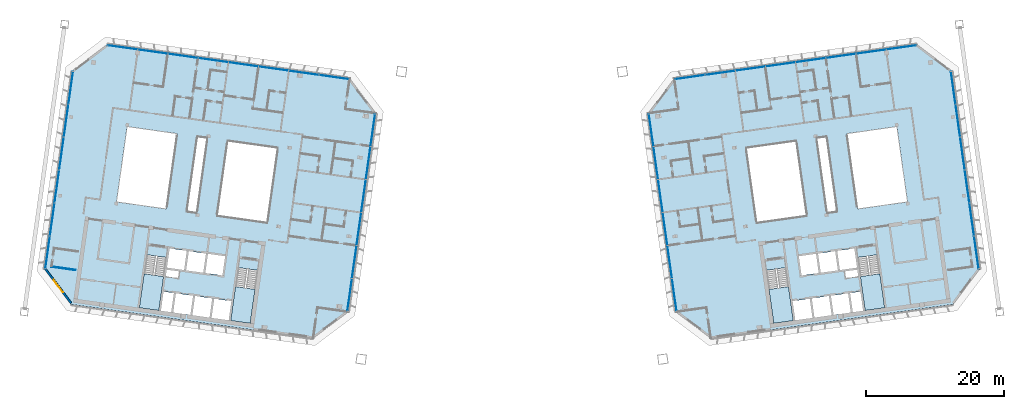
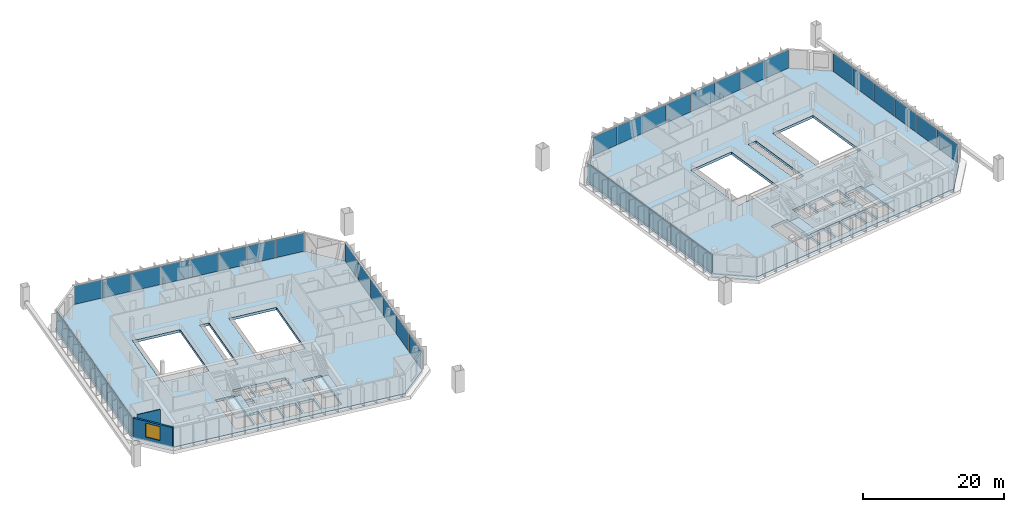
# One storey, part 15 of 26: 40 plates, 6 slabs, 2 walls, 1 window, 1 opening, 10 elements without a shape of their own.
"""IFC4 building model written with IfcOpenShell, lengths in metres."""

from ifc_helpers import new_model, si_unit, direction, frame, frame_2d, origin, origin_2d, place, context, subcontext, project, spatial, polyline, rectangle, outline, extrude, material, layer, layer_set, type_object, element, fill, aggregate, save


model = new_model("IFC4")

# Units and contexts
model_context = context("Model", 3, precision=1e-05, world=origin(), true_north=direction((0.0, 1.0)))
body_context = subcontext(model_context, "Body", "Model", "MODEL_VIEW")
ifc_project = project(units=[si_unit("LENGTHUNIT", "METRE"), si_unit("AREAUNIT", "SQUARE_METRE"), si_unit("VOLUMEUNIT", "CUBIC_METRE"), si_unit("PLANEANGLEUNIT", "RADIAN"), si_unit("MASSUNIT", "GRAM", prefix="KILO")], contexts=[model_context])

# Site, building, storey
site_placement = place(None, origin())
site = spatial("IfcSite", under=ifc_project, at=site_placement, CompositionType="ELEMENT")
building_placement = place(site_placement, origin())
building = spatial("IfcBuilding", under=site, at=building_placement, Name="Mirante Cascada Hotel Towers", CompositionType="ELEMENT")
storey_placement = place(building_placement, frame((0.0, 0.0, 235.6)))
storey = spatial("IfcBuildingStorey", under=building, at=storey_placement, Name="L56", CompositionType="ELEMENT", Elevation=235.6)

# Curtain wall, plates
ifc_material_1 = material(Name="Aluminium mullion and transom frame with clear laminated glass", Category="aluminium")
curtain_wall_type_1 = type_object("IfcCurtainWallType", Name="Ribbon curtain wall ECW1", PredefinedType="NOTDEFINED", material=ifc_material_1)
curtain_wall_1_placement = place(storey_placement, origin())
curtain_wall_1 = element("IfcCurtainWall", 1, at=curtain_wall_1_placement, inside=storey, type_object=curtain_wall_type_1, Name="Front ribbon wall T1 L56", PredefinedType="NOTDEFINED")
ifc_material_2 = material(Name="Clear laminated glass", Category="glass")
ifc_layer_1 = layer(ifc_material_2, 0.036)
ifc_layer_set_1 = layer_set([ifc_layer_1], Name="ECW1 glass panel 36")
plate_type_1 = type_object("IfcPlateType", Name="ECW1 glass panel 36", PredefinedType="CURTAIN_PANEL", material=ifc_layer_set_1)
plate_1_placement = place(storey_placement, frame((-56.308, 20.7326, 0.1), z_axis=(0.0, 0.0, 1.0), x_axis=(0.9902681, -0.1391731, 0.0)))
plate_1 = element("IfcPlate", 2, at=plate_1_placement, type_object=plate_type_1, Name="ECW1 panel 1", PredefinedType="CURTAIN_PANEL", context=body_context, shape_type="SweptSolid", body=[
    extrude(rectangle(XDim=4.3143, YDim=0.036, at=origin_2d()), origin(), (0.0, 0.0, 1.0), 3.15),
])
plate_2_placement = place(storey_placement, frame((-51.9552, 20.1209, 0.1), z_axis=(0.0, 0.0, 1.0), x_axis=(0.9902681, -0.1391731, 0.0)))
plate_2 = element("IfcPlate", 3, at=plate_2_placement, type_object=plate_type_1, Name="ECW1 panel 2", PredefinedType="CURTAIN_PANEL", context=body_context, shape_type="SweptSolid", body=[
    extrude(rectangle(XDim=4.3468, YDim=0.036, at=origin_2d()), origin(), (0.0, 0.0, 1.0), 3.15),
])
plate_3_placement = place(storey_placement, frame((-47.5864, 19.5069, 0.1), z_axis=(0.0, 0.0, 1.0), x_axis=(0.9902681, -0.1391731, 0.0)))
plate_3 = element("IfcPlate", 4, at=plate_3_placement, type_object=plate_type_1, Name="ECW1 panel 3", PredefinedType="CURTAIN_PANEL", context=body_context, shape_type="SweptSolid", body=[
    extrude(rectangle(XDim=4.3468, YDim=0.036, at=origin_2d()), origin(), (0.0, 0.0, 1.0), 3.15),
])
plate_4_placement = place(storey_placement, frame((-43.2175, 18.8929, 0.1), z_axis=(0.0, 0.0, 1.0), x_axis=(0.9902681, -0.1391731, 0.0)))
plate_4 = element("IfcPlate", 5, at=plate_4_placement, type_object=plate_type_1, Name="ECW1 panel 4", PredefinedType="CURTAIN_PANEL", context=body_context, shape_type="SweptSolid", body=[
    extrude(rectangle(XDim=4.3468, YDim=0.036, at=origin_2d()), origin(), (0.0, 0.0, 1.0), 3.15),
])
plate_5_placement = place(storey_placement, frame((-38.8487, 18.2789, 0.1), z_axis=(0.0, 0.0, 1.0), x_axis=(0.9902681, -0.1391731, 0.0)))
plate_5 = element("IfcPlate", 6, at=plate_5_placement, type_object=plate_type_1, Name="ECW1 panel 5", PredefinedType="CURTAIN_PANEL", context=body_context, shape_type="SweptSolid", body=[
    extrude(rectangle(XDim=4.3468, YDim=0.036, at=origin_2d()), origin(), (0.0, 0.0, 1.0), 3.15),
])
plate_6_placement = place(storey_placement, frame((-34.4798, 17.6648, 0.1), z_axis=(0.0, 0.0, 1.0), x_axis=(0.9902681, -0.1391731, 0.0)))
plate_6 = element("IfcPlate", 7, at=plate_6_placement, type_object=plate_type_1, Name="ECW1 panel 6", PredefinedType="CURTAIN_PANEL", context=body_context, shape_type="SweptSolid", body=[
    extrude(rectangle(XDim=4.3468, YDim=0.036, at=origin_2d()), origin(), (0.0, 0.0, 1.0), 3.15),
])
plate_7_placement = place(storey_placement, frame((-30.111, 17.0508, 0.1), z_axis=(0.0, 0.0, 1.0), x_axis=(0.9902681, -0.1391731, 0.0)))
plate_7 = element("IfcPlate", 8, at=plate_7_placement, type_object=plate_type_1, Name="ECW1 panel 7", PredefinedType="CURTAIN_PANEL", context=body_context, shape_type="SweptSolid", body=[
    extrude(rectangle(XDim=4.3468, YDim=0.036, at=origin_2d()), origin(), (0.0, 0.0, 1.0), 3.15),
])
plate_8_placement = place(storey_placement, frame((-25.7582, 16.4391, 0.1), z_axis=(0.0, 0.0, 1.0), x_axis=(0.9902681, -0.1391731, 0.0)))
plate_8 = element("IfcPlate", 9, at=plate_8_placement, type_object=plate_type_1, Name="ECW1 panel 8", PredefinedType="CURTAIN_PANEL", context=body_context, shape_type="SweptSolid", body=[
    extrude(rectangle(XDim=4.3143, YDim=0.036, at=origin_2d()), origin(), (0.0, 0.0, 1.0), 3.15),
])
aggregate(curtain_wall_1, [plate_1, plate_2, plate_3, plate_4, plate_5, plate_6, plate_7, plate_8])

curtain_wall_2_placement = place(storey_placement, origin())
curtain_wall_2 = element("IfcCurtainWall", 10, at=curtain_wall_2_placement, inside=storey, type_object=curtain_wall_type_1, Name="Front ribbon wall T2 L56", PredefinedType="NOTDEFINED")
plate_9_placement = place(storey_placement, frame((56.308, 20.7326, 0.1), z_axis=(0.0, 0.0, 1.0), x_axis=(-0.9902681, -0.1391731, 0.0)))
plate_9 = element("IfcPlate", 11, at=plate_9_placement, type_object=plate_type_1, Name="ECW1 panel 1", PredefinedType="CURTAIN_PANEL", context=body_context, shape_type="SweptSolid", body=[
    extrude(rectangle(XDim=4.3143, YDim=0.036, at=origin_2d()), origin(), (0.0, 0.0, 1.0), 3.15),
])
plate_10_placement = place(storey_placement, frame((51.9552, 20.1209, 0.1), z_axis=(0.0, 0.0, 1.0), x_axis=(-0.9902681, -0.1391731, 0.0)))
plate_10 = element("IfcPlate", 12, at=plate_10_placement, type_object=plate_type_1, Name="ECW1 panel 2", PredefinedType="CURTAIN_PANEL", context=body_context, shape_type="SweptSolid", body=[
    extrude(rectangle(XDim=4.3468, YDim=0.036, at=origin_2d()), origin(), (0.0, 0.0, 1.0), 3.15),
])
plate_11_placement = place(storey_placement, frame((47.5864, 19.5069, 0.1), z_axis=(0.0, 0.0, 1.0), x_axis=(-0.9902681, -0.1391731, 0.0)))
plate_11 = element("IfcPlate", 13, at=plate_11_placement, type_object=plate_type_1, Name="ECW1 panel 3", PredefinedType="CURTAIN_PANEL", context=body_context, shape_type="SweptSolid", body=[
    extrude(rectangle(XDim=4.3468, YDim=0.036, at=origin_2d()), origin(), (0.0, 0.0, 1.0), 3.15),
])
plate_12_placement = place(storey_placement, frame((43.2175, 18.8929, 0.1), z_axis=(0.0, 0.0, 1.0), x_axis=(-0.9902681, -0.1391731, 0.0)))
plate_12 = element("IfcPlate", 14, at=plate_12_placement, type_object=plate_type_1, Name="ECW1 panel 4", PredefinedType="CURTAIN_PANEL", context=body_context, shape_type="SweptSolid", body=[
    extrude(rectangle(XDim=4.3468, YDim=0.036, at=origin_2d()), origin(), (0.0, 0.0, 1.0), 3.15),
])
plate_13_placement = place(storey_placement, frame((38.8487, 18.2789, 0.1), z_axis=(0.0, 0.0, 1.0), x_axis=(-0.9902681, -0.1391731, 0.0)))
plate_13 = element("IfcPlate", 15, at=plate_13_placement, type_object=plate_type_1, Name="ECW1 panel 5", PredefinedType="CURTAIN_PANEL", context=body_context, shape_type="SweptSolid", body=[
    extrude(rectangle(XDim=4.3468, YDim=0.036, at=origin_2d()), origin(), (0.0, 0.0, 1.0), 3.15),
])
plate_14_placement = place(storey_placement, frame((34.4798, 17.6648, 0.1), z_axis=(0.0, 0.0, 1.0), x_axis=(-0.9902681, -0.1391731, 0.0)))
plate_14 = element("IfcPlate", 16, at=plate_14_placement, type_object=plate_type_1, Name="ECW1 panel 6", PredefinedType="CURTAIN_PANEL", context=body_context, shape_type="SweptSolid", body=[
    extrude(rectangle(XDim=4.3468, YDim=0.036, at=origin_2d()), origin(), (0.0, 0.0, 1.0), 3.15),
])
plate_15_placement = place(storey_placement, frame((30.111, 17.0508, 0.1), z_axis=(0.0, 0.0, 1.0), x_axis=(-0.9902681, -0.1391731, 0.0)))
plate_15 = element("IfcPlate", 17, at=plate_15_placement, type_object=plate_type_1, Name="ECW1 panel 7", PredefinedType="CURTAIN_PANEL", context=body_context, shape_type="SweptSolid", body=[
    extrude(rectangle(XDim=4.3468, YDim=0.036, at=origin_2d()), origin(), (0.0, 0.0, 1.0), 3.15),
])
plate_16_placement = place(storey_placement, frame((25.7582, 16.4391, 0.1), z_axis=(0.0, 0.0, 1.0), x_axis=(-0.9902681, -0.1391731, 0.0)))
plate_16 = element("IfcPlate", 18, at=plate_16_placement, type_object=plate_type_1, Name="ECW1 panel 8", PredefinedType="CURTAIN_PANEL", context=body_context, shape_type="SweptSolid", body=[
    extrude(rectangle(XDim=4.3143, YDim=0.036, at=origin_2d()), origin(), (0.0, 0.0, 1.0), 3.15),
])
aggregate(curtain_wall_2, [plate_9, plate_10, plate_11, plate_12, plate_13, plate_14, plate_15, plate_16])

ifc_material_3 = material(Name="Aluminium mullion and transom frame with clear laminated glass", Category="aluminium")
curtain_wall_type_2 = type_object("IfcCurtainWallType", Name="End ribbon curtain wall ECW2", PredefinedType="NOTDEFINED", material=ifc_material_3)
curtain_wall_3_placement = place(storey_placement, origin())
curtain_wall_3 = element("IfcCurtainWall", 19, at=curtain_wall_3_placement, inside=storey, type_object=curtain_wall_type_2, Name="Inner end wall T1 L56", PredefinedType="NOTDEFINED")
ifc_material_4 = material(Name="Clear laminated glass", Category="glass")
ifc_layer_2 = layer(ifc_material_4, 0.034)
ifc_layer_set_2 = layer_set([ifc_layer_2], Name="ECW2 glass panel 34")
plate_type_2 = type_object("IfcPlateType", Name="ECW2 glass panel 34", PredefinedType="CURTAIN_PANEL", material=ifc_layer_set_2)
plate_17_placement = place(storey_placement, frame((-20.1397, 8.7476, 0.1), z_axis=(0.0, 0.0, 1.0), x_axis=(-0.1391731, -0.9902681, 0.0)))
plate_17 = element("IfcPlate", 20, at=plate_17_placement, type_object=plate_type_2, Name="ECW2 panel 1", PredefinedType="CURTAIN_PANEL", context=body_context, shape_type="SweptSolid", body=[
    extrude(rectangle(XDim=4.7151, YDim=0.034, at=origin_2d()), origin(), (0.0, 0.0, 1.0), 3.15),
])
plate_18_placement = place(storey_placement, frame((-20.8072, 3.9979, 0.1), z_axis=(0.0, 0.0, 1.0), x_axis=(-0.1391731, -0.9902681, 0.0)))
plate_18 = element("IfcPlate", 21, at=plate_18_placement, type_object=plate_type_2, Name="ECW2 panel 2", PredefinedType="CURTAIN_PANEL", context=body_context, shape_type="SweptSolid", body=[
    extrude(rectangle(XDim=4.7476, YDim=0.034, at=origin_2d()), origin(), (0.0, 0.0, 1.0), 3.15),
])
plate_19_placement = place(storey_placement, frame((-21.477, -0.7679, 0.1), z_axis=(0.0, 0.0, 1.0), x_axis=(-0.1391731, -0.9902681, 0.0)))
plate_19 = element("IfcPlate", 22, at=plate_19_placement, type_object=plate_type_2, Name="ECW2 panel 3", PredefinedType="CURTAIN_PANEL", context=body_context, shape_type="SweptSolid", body=[
    extrude(rectangle(XDim=4.7476, YDim=0.034, at=origin_2d()), origin(), (0.0, 0.0, 1.0), 3.15),
])
plate_20_placement = place(storey_placement, frame((-22.1468, -5.5337, 0.1), z_axis=(0.0, 0.0, 1.0), x_axis=(-0.1391731, -0.9902681, 0.0)))
plate_20 = element("IfcPlate", 23, at=plate_20_placement, type_object=plate_type_2, Name="ECW2 panel 4", PredefinedType="CURTAIN_PANEL", context=body_context, shape_type="SweptSolid", body=[
    extrude(rectangle(XDim=4.7476, YDim=0.034, at=origin_2d()), origin(), (0.0, 0.0, 1.0), 3.15),
])
plate_21_placement = place(storey_placement, frame((-22.8166, -10.2994, 0.1), z_axis=(0.0, 0.0, 1.0), x_axis=(-0.1391731, -0.9902681, 0.0)))
plate_21 = element("IfcPlate", 24, at=plate_21_placement, type_object=plate_type_2, Name="ECW2 panel 5", PredefinedType="CURTAIN_PANEL", context=body_context, shape_type="SweptSolid", body=[
    extrude(rectangle(XDim=4.7476, YDim=0.034, at=origin_2d()), origin(), (0.0, 0.0, 1.0), 3.15),
])
plate_22_placement = place(storey_placement, frame((-23.4841, -15.0491, 0.1), z_axis=(0.0, 0.0, 1.0), x_axis=(-0.1391731, -0.9902681, 0.0)))
plate_22 = element("IfcPlate", 25, at=plate_22_placement, type_object=plate_type_2, Name="ECW2 panel 6", PredefinedType="CURTAIN_PANEL", context=body_context, shape_type="SweptSolid", body=[
    extrude(rectangle(XDim=4.7151, YDim=0.034, at=origin_2d()), origin(), (0.0, 0.0, 1.0), 3.15),
])
aggregate(curtain_wall_3, [plate_17, plate_18, plate_19, plate_20, plate_21, plate_22])

curtain_wall_4_placement = place(storey_placement, origin())
curtain_wall_4 = element("IfcCurtainWall", 26, at=curtain_wall_4_placement, inside=storey, type_object=curtain_wall_type_2, Name="Outer end wall T1 L56", PredefinedType="NOTDEFINED")
plate_23_placement = place(storey_placement, frame((-67.1733, -8.909, 0.1), z_axis=(0.0, 0.0, 1.0), x_axis=(0.1391731, 0.9902681, 0.0)))
plate_23 = element("IfcPlate", 27, at=plate_23_placement, type_object=plate_type_2, Name="ECW2 panel 1", PredefinedType="CURTAIN_PANEL", context=body_context, shape_type="SweptSolid", body=[
    extrude(rectangle(XDim=4.7151, YDim=0.034, at=origin_2d()), origin(), (0.0, 0.0, 1.0), 3.15),
])
plate_24_placement = place(storey_placement, frame((-66.5058, -4.1593, 0.1), z_axis=(0.0, 0.0, 1.0), x_axis=(0.1391731, 0.9902681, 0.0)))
plate_24 = element("IfcPlate", 28, at=plate_24_placement, type_object=plate_type_2, Name="ECW2 panel 2", PredefinedType="CURTAIN_PANEL", context=body_context, shape_type="SweptSolid", body=[
    extrude(rectangle(XDim=4.7476, YDim=0.034, at=origin_2d()), origin(), (0.0, 0.0, 1.0), 3.15),
])
plate_25_placement = place(storey_placement, frame((-65.836, 0.6065, 0.1), z_axis=(0.0, 0.0, 1.0), x_axis=(0.1391731, 0.9902681, 0.0)))
plate_25 = element("IfcPlate", 29, at=plate_25_placement, type_object=plate_type_2, Name="ECW2 panel 3", PredefinedType="CURTAIN_PANEL", context=body_context, shape_type="SweptSolid", body=[
    extrude(rectangle(XDim=4.7476, YDim=0.034, at=origin_2d()), origin(), (0.0, 0.0, 1.0), 3.15),
])
plate_26_placement = place(storey_placement, frame((-65.1662, 5.3722, 0.1), z_axis=(0.0, 0.0, 1.0), x_axis=(0.1391731, 0.9902681, 0.0)))
plate_26 = element("IfcPlate", 30, at=plate_26_placement, type_object=plate_type_2, Name="ECW2 panel 4", PredefinedType="CURTAIN_PANEL", context=body_context, shape_type="SweptSolid", body=[
    extrude(rectangle(XDim=4.7476, YDim=0.034, at=origin_2d()), origin(), (0.0, 0.0, 1.0), 3.15),
])
plate_27_placement = place(storey_placement, frame((-64.4964, 10.138, 0.1), z_axis=(0.0, 0.0, 1.0), x_axis=(0.1391731, 0.9902681, 0.0)))
plate_27 = element("IfcPlate", 31, at=plate_27_placement, type_object=plate_type_2, Name="ECW2 panel 5", PredefinedType="CURTAIN_PANEL", context=body_context, shape_type="SweptSolid", body=[
    extrude(rectangle(XDim=4.7476, YDim=0.034, at=origin_2d()), origin(), (0.0, 0.0, 1.0), 3.15),
])
plate_28_placement = place(storey_placement, frame((-63.8289, 14.8877, 0.1), z_axis=(0.0, 0.0, 1.0), x_axis=(0.1391731, 0.9902681, 0.0)))
plate_28 = element("IfcPlate", 32, at=plate_28_placement, type_object=plate_type_2, Name="ECW2 panel 6", PredefinedType="CURTAIN_PANEL", context=body_context, shape_type="SweptSolid", body=[
    extrude(rectangle(XDim=4.7151, YDim=0.034, at=origin_2d()), origin(), (0.0, 0.0, 1.0), 3.15),
])
aggregate(curtain_wall_4, [plate_23, plate_24, plate_25, plate_26, plate_27, plate_28])

curtain_wall_5_placement = place(storey_placement, origin())
curtain_wall_5 = element("IfcCurtainWall", 33, at=curtain_wall_5_placement, inside=storey, type_object=curtain_wall_type_2, Name="Inner end wall T2 L56", PredefinedType="NOTDEFINED")
plate_29_placement = place(storey_placement, frame((20.1397, 8.7476, 0.1), z_axis=(0.0, 0.0, 1.0), x_axis=(0.1391731, -0.9902681, 0.0)))
plate_29 = element("IfcPlate", 34, at=plate_29_placement, type_object=plate_type_2, Name="ECW2 panel 1", PredefinedType="CURTAIN_PANEL", context=body_context, shape_type="SweptSolid", body=[
    extrude(rectangle(XDim=4.7151, YDim=0.034, at=origin_2d()), origin(), (0.0, 0.0, 1.0), 3.15),
])
plate_30_placement = place(storey_placement, frame((20.8072, 3.9979, 0.1), z_axis=(0.0, 0.0, 1.0), x_axis=(0.1391731, -0.9902681, 0.0)))
plate_30 = element("IfcPlate", 35, at=plate_30_placement, type_object=plate_type_2, Name="ECW2 panel 2", PredefinedType="CURTAIN_PANEL", context=body_context, shape_type="SweptSolid", body=[
    extrude(rectangle(XDim=4.7476, YDim=0.034, at=origin_2d()), origin(), (0.0, 0.0, 1.0), 3.15),
])
plate_31_placement = place(storey_placement, frame((21.477, -0.7679, 0.1), z_axis=(0.0, 0.0, 1.0), x_axis=(0.1391731, -0.9902681, 0.0)))
plate_31 = element("IfcPlate", 36, at=plate_31_placement, type_object=plate_type_2, Name="ECW2 panel 3", PredefinedType="CURTAIN_PANEL", context=body_context, shape_type="SweptSolid", body=[
    extrude(rectangle(XDim=4.7476, YDim=0.034, at=origin_2d()), origin(), (0.0, 0.0, 1.0), 3.15),
])
plate_32_placement = place(storey_placement, frame((22.1468, -5.5337, 0.1), z_axis=(0.0, 0.0, 1.0), x_axis=(0.1391731, -0.9902681, 0.0)))
plate_32 = element("IfcPlate", 37, at=plate_32_placement, type_object=plate_type_2, Name="ECW2 panel 4", PredefinedType="CURTAIN_PANEL", context=body_context, shape_type="SweptSolid", body=[
    extrude(rectangle(XDim=4.7476, YDim=0.034, at=origin_2d()), origin(), (0.0, 0.0, 1.0), 3.15),
])
plate_33_placement = place(storey_placement, frame((22.8166, -10.2994, 0.1), z_axis=(0.0, 0.0, 1.0), x_axis=(0.1391731, -0.9902681, 0.0)))
plate_33 = element("IfcPlate", 38, at=plate_33_placement, type_object=plate_type_2, Name="ECW2 panel 5", PredefinedType="CURTAIN_PANEL", context=body_context, shape_type="SweptSolid", body=[
    extrude(rectangle(XDim=4.7476, YDim=0.034, at=origin_2d()), origin(), (0.0, 0.0, 1.0), 3.15),
])
plate_34_placement = place(storey_placement, frame((23.4841, -15.0491, 0.1), z_axis=(0.0, 0.0, 1.0), x_axis=(0.1391731, -0.9902681, 0.0)))
plate_34 = element("IfcPlate", 39, at=plate_34_placement, type_object=plate_type_2, Name="ECW2 panel 6", PredefinedType="CURTAIN_PANEL", context=body_context, shape_type="SweptSolid", body=[
    extrude(rectangle(XDim=4.7151, YDim=0.034, at=origin_2d()), origin(), (0.0, 0.0, 1.0), 3.15),
])
aggregate(curtain_wall_5, [plate_29, plate_30, plate_31, plate_32, plate_33, plate_34])

curtain_wall_6_placement = place(storey_placement, origin())
curtain_wall_6 = element("IfcCurtainWall", 40, at=curtain_wall_6_placement, inside=storey, type_object=curtain_wall_type_2, Name="Outer end wall T2 L56", PredefinedType="NOTDEFINED")
plate_35_placement = place(storey_placement, frame((67.1733, -8.909, 0.1), z_axis=(0.0, 0.0, 1.0), x_axis=(-0.1391731, 0.9902681, 0.0)))
plate_35 = element("IfcPlate", 41, at=plate_35_placement, type_object=plate_type_2, Name="ECW2 panel 1", PredefinedType="CURTAIN_PANEL", context=body_context, shape_type="SweptSolid", body=[
    extrude(rectangle(XDim=4.7151, YDim=0.034, at=origin_2d()), origin(), (0.0, 0.0, 1.0), 3.15),
])
plate_36_placement = place(storey_placement, frame((66.5058, -4.1593, 0.1), z_axis=(0.0, 0.0, 1.0), x_axis=(-0.1391731, 0.9902681, 0.0)))
plate_36 = element("IfcPlate", 42, at=plate_36_placement, type_object=plate_type_2, Name="ECW2 panel 2", PredefinedType="CURTAIN_PANEL", context=body_context, shape_type="SweptSolid", body=[
    extrude(rectangle(XDim=4.7476, YDim=0.034, at=origin_2d()), origin(), (0.0, 0.0, 1.0), 3.15),
])
plate_37_placement = place(storey_placement, frame((65.836, 0.6065, 0.1), z_axis=(0.0, 0.0, 1.0), x_axis=(-0.1391731, 0.9902681, 0.0)))
plate_37 = element("IfcPlate", 43, at=plate_37_placement, type_object=plate_type_2, Name="ECW2 panel 3", PredefinedType="CURTAIN_PANEL", context=body_context, shape_type="SweptSolid", body=[
    extrude(rectangle(XDim=4.7476, YDim=0.034, at=origin_2d()), origin(), (0.0, 0.0, 1.0), 3.15),
])
plate_38_placement = place(storey_placement, frame((65.1662, 5.3722, 0.1), z_axis=(0.0, 0.0, 1.0), x_axis=(-0.1391731, 0.9902681, 0.0)))
plate_38 = element("IfcPlate", 44, at=plate_38_placement, type_object=plate_type_2, Name="ECW2 panel 4", PredefinedType="CURTAIN_PANEL", context=body_context, shape_type="SweptSolid", body=[
    extrude(rectangle(XDim=4.7476, YDim=0.034, at=origin_2d()), origin(), (0.0, 0.0, 1.0), 3.15),
])
plate_39_placement = place(storey_placement, frame((64.4964, 10.138, 0.1), z_axis=(0.0, 0.0, 1.0), x_axis=(-0.1391731, 0.9902681, 0.0)))
plate_39 = element("IfcPlate", 45, at=plate_39_placement, type_object=plate_type_2, Name="ECW2 panel 5", PredefinedType="CURTAIN_PANEL", context=body_context, shape_type="SweptSolid", body=[
    extrude(rectangle(XDim=4.7476, YDim=0.034, at=origin_2d()), origin(), (0.0, 0.0, 1.0), 3.15),
])
plate_40_placement = place(storey_placement, frame((63.8289, 14.8877, 0.1), z_axis=(0.0, 0.0, 1.0), x_axis=(-0.1391731, 0.9902681, 0.0)))
plate_40 = element("IfcPlate", 46, at=plate_40_placement, type_object=plate_type_2, Name="ECW2 panel 6", PredefinedType="CURTAIN_PANEL", context=body_context, shape_type="SweptSolid", body=[
    extrude(rectangle(XDim=4.7151, YDim=0.034, at=origin_2d()), origin(), (0.0, 0.0, 1.0), 3.15),
])
aggregate(curtain_wall_6, [plate_35, plate_36, plate_37, plate_38, plate_39, plate_40])

# Stair, slab
ifc_material_5 = material(Name="Concrete C35/45", Category="concrete")
stair_type = type_object("IfcStairType", Name="Exit stair half-turn 1350 concrete C35/45", PredefinedType="HALF_TURN_STAIR", material=ifc_material_5)
stair_1_placement = place(storey_placement, origin())
stair_1 = element("IfcStair", 47, at=stair_1_placement, inside=storey, type_object=stair_type, Name="L56 Exit stair A", PredefinedType="HALF_TURN_STAIR")
ifc_material_6 = material(Name="Concrete C35/45", Category="concrete")
ifc_layer_3 = layer(ifc_material_6, 0.2)
ifc_layer_set_3 = layer_set([ifc_layer_3], Name="Exit stair landing 200 concrete C35/45")
slab_type_1 = type_object("IfcSlabType", Name="Exit stair landing 200 concrete C35/45", PredefinedType="LANDING", material=ifc_layer_set_3)
slab_1_placement = place(storey_placement, frame((0.0, 0.0, 1.7)))
slab_1 = element("IfcSlab", 48, at=slab_1_placement, type_object=slab_type_1, Name="ST1-A landing 1", PredefinedType="LANDING", context=body_context, shape_type="SweptSolid", body=[
    extrude(outline(polyline([(-39.9987, -13.8659), (-40.6887, -18.7757), (-37.8665, -19.1723), (-37.1765, -14.2626), (-39.9987, -13.8659)])), origin(), (0.0, 0.0, 1.0), 0.2),
])
aggregate(stair_1, [slab_1])

stair_2_placement = place(storey_placement, origin())
stair_2 = element("IfcStair", 49, at=stair_2_placement, inside=storey, type_object=stair_type, Name="L56 Exit stair B", PredefinedType="HALF_TURN_STAIR")
slab_2_placement = place(storey_placement, frame((0.0, 0.0, 1.7)))
slab_2 = element("IfcSlab", 50, at=slab_2_placement, type_object=slab_type_1, Name="ST1-B landing 1", PredefinedType="LANDING", context=body_context, shape_type="SweptSolid", body=[
    extrude(outline(polyline([(-53.2188, -12.008), (-53.9088, -16.9177), (-51.0866, -17.3144), (-50.3965, -12.4046), (-53.2188, -12.008)])), origin(), (0.0, 0.0, 1.0), 0.2),
])
aggregate(stair_2, [slab_2])

stair_3_placement = place(storey_placement, origin())
stair_3 = element("IfcStair", 51, at=stair_3_placement, inside=storey, type_object=stair_type, Name="L56 Exit stair A", PredefinedType="HALF_TURN_STAIR")
slab_3_placement = place(storey_placement, frame((0.0, 0.0, 1.7)))
slab_3 = element("IfcSlab", 52, at=slab_3_placement, type_object=slab_type_1, Name="ST2-A landing 1", PredefinedType="LANDING", context=body_context, shape_type="SweptSolid", body=[
    extrude(outline(polyline([(37.1765, -14.2626), (37.8665, -19.1723), (40.6887, -18.7757), (39.9987, -13.8659), (37.1765, -14.2626)])), origin(), (0.0, 0.0, 1.0), 0.2),
])
aggregate(stair_3, [slab_3])

stair_4_placement = place(storey_placement, origin())
stair_4 = element("IfcStair", 53, at=stair_4_placement, inside=storey, type_object=stair_type, Name="L56 Exit stair B", PredefinedType="HALF_TURN_STAIR")
slab_4_placement = place(storey_placement, frame((0.0, 0.0, 1.7)))
slab_4 = element("IfcSlab", 54, at=slab_4_placement, type_object=slab_type_1, Name="ST2-B landing 1", PredefinedType="LANDING", context=body_context, shape_type="SweptSolid", body=[
    extrude(outline(polyline([(50.3965, -12.4046), (51.0866, -17.3144), (53.9088, -16.9177), (53.2188, -12.008), (50.3965, -12.4046)])), origin(), (0.0, 0.0, 1.0), 0.2),
])
aggregate(stair_4, [slab_4])

# Slabs
ifc_material_7 = material(Name="Concrete C40/50", Category="concrete")
ifc_layer_4 = layer(ifc_material_7, 0.45)
ifc_layer_set_4 = layer_set([ifc_layer_4], Name="Post-tensioned flat plate 450 Concrete C40/50")
slab_type_2 = type_object("IfcSlabType", Name="Post-tensioned flat plate 450 Concrete C40/50", PredefinedType="FLOOR", material=ifc_layer_set_4)
slab_5_placement = place(storey_placement, frame((0.0, 0.0, -0.45)))
element("IfcSlab", 55, at=slab_5_placement, inside=storey, type_object=slab_type_2, Name="Floor T1 L56", PredefinedType="FLOOR", context=body_context, shape_type="SweptSolid", body=[
    extrude(outline(polyline([(-23.6814, -17.5305), (-19.6454, 11.1873), (-23.4753, 16.2697), (-58.5492, 21.199), (-63.6316, 17.3691), (-67.6677, -11.3487), (-63.8377, -16.4311), (-28.7639, -21.3604), (-23.6814, -17.5305)]), holes=[polyline([(-40.5961, -15.9612), (-40.9858, -18.7339), (-43.4615, -18.386), (-43.0718, -15.6132), (-40.5961, -15.9612)]), polyline([(-43.3689, -15.5715), (-43.7586, -18.3442), (-46.2342, -17.9963), (-45.8446, -15.2236), (-43.3689, -15.5715)]), polyline([(-46.1416, -15.1818), (-46.5313, -17.9546), (-49.007, -17.6066), (-48.6173, -14.8339), (-46.1416, -15.1818)]), polyline([(-36.7887, -11.5037), (-37.8665, -19.1723), (-40.6887, -18.7757), (-39.611, -11.107), (-36.7887, -11.5037)]), polyline([(-43.9775, -9.124), (-41.5018, -9.472), (-41.8915, -12.2447), (-44.3672, -11.8968), (-43.9775, -9.124)]), polyline([(-44.2746, -9.0823), (-44.6643, -11.855), (-47.1399, -11.5071), (-46.7503, -8.7344), (-44.2746, -9.0823)]), polyline([(-50.3998, -14.5834), (-48.9144, -14.7921), (-49.3041, -17.5649), (-50.7895, -17.3561), (-50.3998, -14.5834)]), polyline([(-50.0088, -9.6457), (-51.0866, -17.3144), (-53.9088, -16.9177), (-52.8311, -9.2491), (-50.0088, -9.6457)]), polyline([(-48.1472, -11.6685), (-48.2829, -12.634), (-50.0901, -12.38), (-49.9544, -11.4145), (-48.1472, -11.6685)]), polyline([(-49.523, -8.3447), (-47.0473, -8.6926), (-47.437, -11.4654), (-49.9127, -11.1174), (-49.523, -8.3447)]), polyline([(-48.4694, 8.2704), (-50.0003, -2.6226), (-50.0003, -2.6226), (-57.2104, -1.6092), (-55.6795, 9.2837), (-48.4694, 8.2704)]), polyline([(-44.0852, 7.6542), (-45.6161, -3.2387), (-47.0275, -3.0403), (-45.4966, 7.8526), (-44.0852, 7.6542)]), polyline([(-33.8946, 6.222), (-35.4255, -4.6709), (-42.6433, -3.6565), (-41.1124, 7.2364), (-33.8946, 6.222)])]), origin(), (0.0, 0.0, 1.0), 0.45),
])
slab_6_placement = place(storey_placement, frame((0.0, 0.0, -0.45)))
element("IfcSlab", 56, at=slab_6_placement, inside=storey, type_object=slab_type_2, Name="Floor T2 L56", PredefinedType="FLOOR", context=body_context, shape_type="SweptSolid", body=[
    extrude(outline(polyline([(23.6814, -17.5305), (19.6454, 11.1873), (23.4753, 16.2697), (58.5492, 21.199), (63.6316, 17.3691), (67.6677, -11.3487), (63.8377, -16.4311), (28.7639, -21.3604), (23.6814, -17.5305)]), holes=[polyline([(40.5961, -15.9612), (40.9858, -18.7339), (43.4615, -18.386), (43.0718, -15.6132), (40.5961, -15.9612)]), polyline([(43.3689, -15.5715), (43.7586, -18.3442), (46.2342, -17.9963), (45.8446, -15.2236), (43.3689, -15.5715)]), polyline([(46.1416, -15.1818), (46.5313, -17.9546), (49.007, -17.6066), (48.6173, -14.8339), (46.1416, -15.1818)]), polyline([(37.8665, -19.1723), (40.6887, -18.7757), (39.611, -11.107), (36.7887, -11.5037), (37.8665, -19.1723)]), polyline([(43.9775, -9.124), (41.5018, -9.472), (41.8915, -12.2447), (44.3672, -11.8968), (43.9775, -9.124)]), polyline([(44.2746, -9.0823), (44.6643, -11.855), (47.1399, -11.5071), (46.7503, -8.7344), (44.2746, -9.0823)]), polyline([(50.3998, -14.5834), (48.9144, -14.7921), (49.3041, -17.5649), (50.7895, -17.3561), (50.3998, -14.5834)]), polyline([(51.0866, -17.3144), (53.9088, -16.9177), (52.8311, -9.2491), (50.0088, -9.6457), (51.0866, -17.3144)]), polyline([(48.1472, -11.6685), (48.2829, -12.634), (50.0901, -12.38), (49.9544, -11.4145), (48.1472, -11.6685)]), polyline([(49.523, -8.3447), (47.0473, -8.6926), (47.437, -11.4654), (49.9127, -11.1174), (49.523, -8.3447)]), polyline([(55.6795, 9.2837), (57.2104, -1.6092), (50.0003, -2.6226), (50.0003, -2.6226), (48.4694, 8.2704), (55.6795, 9.2837)]), polyline([(45.4966, 7.8526), (47.0275, -3.0403), (45.6161, -3.2387), (44.0852, 7.6542), (45.4966, 7.8526)]), polyline([(41.1124, 7.2364), (42.6433, -3.6565), (35.4255, -4.6709), (33.8946, 6.222), (41.1124, 7.2364)])]), origin(), (0.0, 0.0, 1.0), 0.45),
])

# Wall
ifc_material_8 = material(Name="Plasterboard on metal studs")
ifc_layer_5 = layer(ifc_material_8, 0.1)
ifc_layer_set_5 = layer_set([ifc_layer_5], Name="Partition 100")
wall_type_1 = type_object("IfcWallType", Name="Partition 100", PredefinedType="PARTITIONING", material=ifc_layer_set_5)
wall_1_placement = place(storey_placement, frame((-66.6573, -10.9857, 0.0), z_axis=(0.0, 0.0, 1.0), x_axis=(0.9902664, -0.1391849, 0.0)))
element("IfcWall", 57, at=wall_1_placement, inside=storey, type_object=wall_type_1, Name="Wall 1-L56-02", PredefinedType="PARTITIONING", context=body_context, shape_type="SweptSolid", body=[
    extrude(rectangle(XDim=3.55, YDim=0.1, at=frame_2d((1.775, 0.0))), origin(), (0.0, 0.0, 1.0), 3.35),
])

# Wall, opening, window
ifc_material_9 = material(Name="Precast concrete C40/50", Category="concrete")
ifc_layer_6 = layer(ifc_material_9, 0.3)
ifc_layer_set_6 = layer_set([ifc_layer_6], Name="Precast concrete C40/50 cladding wall 300")
wall_type_2 = type_object("IfcWallType", Name="Precast concrete C40/50 cladding wall 300", PredefinedType="STANDARD", material=ifc_layer_set_6)
wall_2_placement = place(storey_placement, frame((-63.7926, -16.2417, 0.0), z_axis=(0.0, 0.0, 1.0), x_axis=(-0.6018245, 0.7986283, 0.0)))
wall_2 = element("IfcWall", 58, at=wall_2_placement, inside=storey, type_object=wall_type_2, Name="Corner cladding wall T1 L56 rear outer", PredefinedType="STANDARD", context=body_context, shape_type="SweptSolid", body=[
    extrude(rectangle(XDim=6.1157, YDim=0.3, at=frame_2d((3.0578, 0.0))), origin(), (0.0, 0.0, 1.0), 3.35),
])
opening_placement = place(wall_2_placement, frame((1.9578, 0.0, 0.6)))
opening = element("IfcOpeningElement", 59, at=opening_placement, cuts=wall_2, Name="Opening W1-56-03", PredefinedType="OPENING", context=body_context, shape_type="SweptSolid", body=[
    extrude(rectangle(XDim=2.2, YDim=2.4, at=frame_2d((1.1, 1.2))), frame((0.0, 0.15, 0.0), z_axis=(0.0, -1.0, 0.0), x_axis=(1.0, 0.0, 0.0)), (0.0, 0.0, 1.0), 0.3),
])
ifc_material_10 = material(Name="Aluminium frame with clear double glazing", Category="aluminium")
window_type = type_object("IfcWindowType", Name="Corner suite window 2200x2400", PartitioningType="DOUBLE_PANEL_VERTICAL", PredefinedType="WINDOW", material=ifc_material_10)
window_placement = place(opening_placement, origin())
window = element("IfcWindow", 60, at=window_placement, inside=storey, type_object=window_type, Name="Window W1-56-03", OverallHeight=2.4, OverallWidth=2.2, PartitioningType="SINGLE_PANEL", PredefinedType="WINDOW", context=body_context, shape_type="SweptSolid", body=[
    extrude(rectangle(XDim=2.2, YDim=2.4, at=frame_2d((1.1, 1.2))), frame((0.0, 0.03, 0.0), z_axis=(0.0, -1.0, 0.0), x_axis=(1.0, 0.0, 0.0)), (0.0, 0.0, 1.0), 0.06),
])
fill(opening, window)

save(model, "model.ifc")
